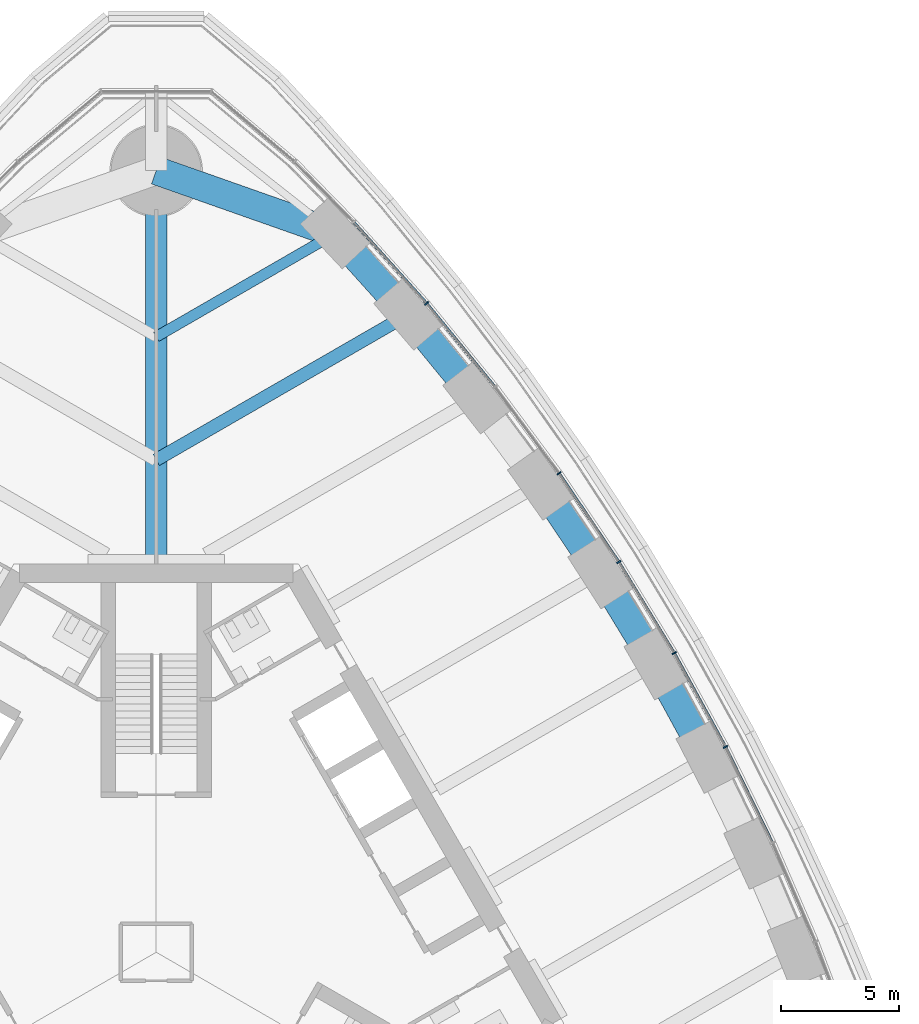
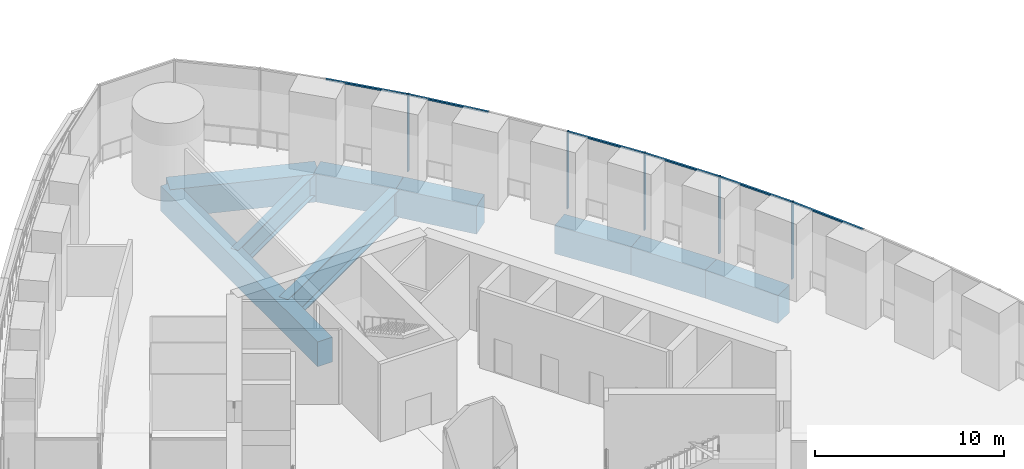
# One storey, part 8 of 31: 11 members, 9 beams, 1 element without a shape of its own.
"""IFC4 building model written with IfcOpenShell, lengths in metres."""

from ifc_helpers import new_model, si_unit, direction, frame, origin, origin_2d, place, context, subcontext, project, spatial, rectangle, i_section, extrude, material, material_profile, profile_set, type_object, element, aggregate, save


model = new_model("IFC4")

# Units and contexts
model_context = context("Model", 3, precision=1e-05, world=origin(), true_north=direction((0.0, 1.0)))
body_context = subcontext(model_context, "Body", "Model", "MODEL_VIEW")
ifc_project = project(units=[si_unit("LENGTHUNIT", "METRE"), si_unit("AREAUNIT", "SQUARE_METRE"), si_unit("VOLUMEUNIT", "CUBIC_METRE"), si_unit("PLANEANGLEUNIT", "RADIAN"), si_unit("MASSUNIT", "GRAM", prefix="KILO")], contexts=[model_context])

# Site, building, storey
site_placement = place(None, origin())
site = spatial("IfcSite", under=ifc_project, at=site_placement, CompositionType="ELEMENT")
building_placement = place(site_placement, origin())
building = spatial("IfcBuilding", under=site, at=building_placement, Name="Trefoil Bronze Tower", CompositionType="ELEMENT")
storey_placement = place(building_placement, frame((0.0, 0.0, 184.699951171875)))
storey = spatial("IfcBuildingStorey", under=building, at=storey_placement, Name="L42", CompositionType="ELEMENT", Elevation=184.699951171875)

# Curtain wall, members
ifc_material_1 = material(Name="Tinted solar-control glass", Category="glass")
curtain_wall_type = type_object("IfcCurtainWallType", Name="Bronze sky lobby curtain wall", PredefinedType="USERDEFINED", material=ifc_material_1)
curtain_wall_placement = place(storey_placement, origin())
curtain_wall = element("IfcCurtainWall", 1, at=curtain_wall_placement, inside=storey, type_object=curtain_wall_type, Name="CW-D L42 F2", ObjectType="CURTAIN WALL", PredefinedType="USERDEFINED")
ifc_material_2 = material(Name="Bronze-finish aluminium", Category="aluminium")
ifc_material_profile_1 = material_profile(ifc_material_2, rectangle(XDim=0.199951171875, YDim=0.06005859375, at=origin_2d()), Name="CW-D mullion")
ifc_profile_set_1 = profile_set([ifc_material_profile_1], Name="Bronze-finish aluminium")
member_type_1 = type_object("IfcMemberType", Name="Bronze sky lobby curtain wall mullion", PredefinedType="MULLION", material=ifc_profile_set_1)
member_1_placement = place(storey_placement, frame((24.0302734375, 8.67236328125, 0.0), z_axis=(0.0, 0.0, 1.0), x_axis=(-0.888088206965, -0.459673075837, 0.0)))
member_1 = element("IfcMember", 2, at=member_1_placement, type_object=member_type_1, Name="CW-D L42 F2 mullion 6", PredefinedType="MULLION", context=body_context, shape_type="SweptSolid", body=[
    extrude(rectangle(XDim=0.199951171875, YDim=0.06005859375, at=origin_2d()), origin(), (0.0, 0.0, 1.0), 4.97998046875),
])
member_2_placement = place(storey_placement, frame((21.86767578125, 12.625244140625, 0.0), z_axis=(0.0, 0.0, 1.0), x_axis=(-0.866025403784, -0.5, 0.0)))
member_2 = element("IfcMember", 3, at=member_2_placement, type_object=member_type_1, Name="CW-D L42 F2 mullion 7", PredefinedType="MULLION", context=body_context, shape_type="SweptSolid", body=[
    extrude(rectangle(XDim=0.199951171875, YDim=0.06005859375, at=origin_2d()), origin(), (0.0, 0.0, 1.0), 4.97998046875),
])
member_3_placement = place(storey_placement, frame((19.525634765625, 16.474609375, 0.0), z_axis=(0.0, 0.0, 1.0), x_axis=(-0.842132664593, -0.539270410114, 0.0)))
member_3 = element("IfcMember", 4, at=member_3_placement, type_object=member_type_1, Name="CW-D L42 F2 mullion 8", PredefinedType="MULLION", context=body_context, shape_type="SweptSolid", body=[
    extrude(rectangle(XDim=0.199951171875, YDim=0.06005859375, at=origin_2d()), origin(), (0.0, 0.0, 1.0), 4.97998046875),
])
member_4_placement = place(storey_placement, frame((17.00390625, 20.22021484375, 0.0), z_axis=(0.0, 0.0, 1.0), x_axis=(-0.81640398396, -0.577481198806, 0.0)))
member_4 = element("IfcMember", 5, at=member_4_placement, type_object=member_type_1, Name="CW-D L42 F2 mullion 9", PredefinedType="MULLION", context=body_context, shape_type="SweptSolid", body=[
    extrude(rectangle(XDim=0.199951171875, YDim=0.06005859375, at=origin_2d()), origin(), (0.0, 0.0, 1.0), 4.97998046875),
])
member_5_placement = place(storey_placement, frame((11.412841796875, 27.39501953125, 0.0), z_axis=(0.0, 0.0, 1.0), x_axis=(-0.75935470958, -0.650676897576, 0.0)))
member_5 = element("IfcMember", 6, at=member_5_placement, type_object=member_type_1, Name="CW-D L42 F2 mullion 11", PredefinedType="MULLION", context=body_context, shape_type="SweptSolid", body=[
    extrude(rectangle(XDim=0.199951171875, YDim=0.06005859375, at=origin_2d()), origin(), (0.0, 0.0, 1.0), 4.97998046875),
])
ifc_material_3 = material(Name="Bronze-finish aluminium", Category="aluminium")
ifc_material_profile_2 = material_profile(ifc_material_3, rectangle(XDim=0.1201171875, YDim=0.10009765625, at=origin_2d()), Name="CW-D transom")
ifc_profile_set_2 = profile_set([ifc_material_profile_2], Name="Bronze-finish aluminium")
member_type_2 = type_object("IfcMemberType", Name="Bronze sky lobby curtain wall transom", PredefinedType="USERDEFINED", material=ifc_profile_set_2)
member_6_placement = place(storey_placement, frame((25.9990234375, 4.644775390625, 4.929931640625), z_axis=(-0.43909895768, 0.898438704289, 0.0), x_axis=(-0.898438704289, -0.43909895768, 0.0)))
member_6 = element("IfcMember", 7, at=member_6_placement, type_object=member_type_2, Name="CW-D L42 F2 transom 5", ObjectType="TRANSOM", PredefinedType="USERDEFINED", context=body_context, shape_type="SweptSolid", body=[
    extrude(rectangle(XDim=0.1201171875, YDim=0.10009765625, at=origin_2d()), origin(), (0.0, 0.0, 1.0), 4.450927734375),
])
member_7_placement = place(storey_placement, frame((24.014892578125, 8.700927734375, 4.929931640625), z_axis=(-0.479980283087, 0.877279275857, 0.0), x_axis=(-0.877279275857, -0.479980283087, 0.0)))
member_7 = element("IfcMember", 8, at=member_7_placement, type_object=member_type_2, Name="CW-D L42 F2 transom 6", ObjectType="TRANSOM", PredefinedType="USERDEFINED", context=body_context, shape_type="SweptSolid", body=[
    extrude(rectangle(XDim=0.1201171875, YDim=0.10009765625, at=origin_2d()), origin(), (0.0, 0.0, 1.0), 4.44091796875),
])
member_8_placement = place(storey_placement, frame((21.850830078125, 12.65283203125, 4.929931640625), z_axis=(-0.519756845885, 0.854314240286, 0.0), x_axis=(-0.854314240286, -0.519756845885, 0.0)))
member_8 = element("IfcMember", 9, at=member_8_placement, type_object=member_type_2, Name="CW-D L42 F2 transom 7", ObjectType="TRANSOM", PredefinedType="USERDEFINED", context=body_context, shape_type="SweptSolid", body=[
    extrude(rectangle(XDim=0.1201171875, YDim=0.10009765625, at=origin_2d()), origin(), (0.0, 0.0, 1.0), 4.441162109375),
])
member_9_placement = place(storey_placement, frame((19.5078125, 16.50146484375, 4.929931640625), z_axis=(-0.558517200702, 0.829492939404, 0.0), x_axis=(-0.829492939404, -0.558517200702, 0.0)))
member_9 = element("IfcMember", 10, at=member_9_placement, type_object=member_type_2, Name="CW-D L42 F2 transom 8", ObjectType="TRANSOM", PredefinedType="USERDEFINED", context=body_context, shape_type="SweptSolid", body=[
    extrude(rectangle(XDim=0.1201171875, YDim=0.10009765625, at=origin_2d()), origin(), (0.0, 0.0, 1.0), 4.45068359375),
])
member_10_placement = place(storey_placement, frame((14.2802734375, 23.885986328125, 4.929931640625), z_axis=(-0.632800371808, 0.774314980767, 0.0), x_axis=(-0.774314980767, -0.632800371808, 0.0)))
member_10 = element("IfcMember", 11, at=member_10_placement, type_object=member_type_2, Name="CW-D L42 F2 transom 10", ObjectType="TRANSOM", PredefinedType="USERDEFINED", context=body_context, shape_type="SweptSolid", body=[
    extrude(rectangle(XDim=0.1201171875, YDim=0.10009765625, at=origin_2d()), origin(), (0.0, 0.0, 1.0), 4.499267578125),
])
member_11_placement = place(storey_placement, frame((11.39111328125, 27.4189453125, 4.929931640625), z_axis=(-0.668230486296, 0.743954311222, 0.0), x_axis=(-0.743954311222, -0.668230486296, 0.0)))
member_11 = element("IfcMember", 12, at=member_11_placement, type_object=member_type_2, Name="CW-D L42 F2 transom 11", ObjectType="TRANSOM", PredefinedType="USERDEFINED", context=body_context, shape_type="SweptSolid", body=[
    extrude(rectangle(XDim=0.1201171875, YDim=0.10009765625, at=origin_2d()), origin(), (0.0, 0.0, 1.0), 4.53955078125),
])
aggregate(curtain_wall, [member_1, member_2, member_3, member_4, member_5, member_6, member_7, member_8, member_9, member_10, member_11])

# Beams
ifc_material_4 = material(Name="Concrete B80", Category="concrete")
ifc_material_profile_3 = material_profile(ifc_material_4, rectangle(XDim=0.89990234375, YDim=1.60009765625, at=origin_2d()), Name="RC 900x1600")
ifc_profile_set_3 = profile_set([ifc_material_profile_3], Name="Concrete B80")
beam_type_1 = type_object("IfcBeamType", Name="Corner girder RC 900x1600", PredefinedType="BEAM", material=ifc_profile_set_3)
beam_1_placement = place(storey_placement, frame((0.0, 16.39990234375, -1.0), z_axis=(0.0, 1.0, 0.0), x_axis=(-1.0, 0.0, 0.0)))
element("IfcBeam", 13, at=beam_1_placement, inside=storey, type_object=beam_type_1, Name="Corner girder K2 L42", PredefinedType="BEAM", context=body_context, shape_type="SweptSolid", body=[
    extrude(rectangle(XDim=0.89990234375, YDim=1.60009765625, at=origin_2d()), origin(), (0.0, 0.0, 1.0), 16.60009765625),
])
ifc_material_5 = material(Name="Concrete B80", Category="concrete")
ifc_material_profile_4 = material_profile(ifc_material_5, rectangle(XDim=1.199951171875, YDim=1.800048828125, at=origin_2d()), Name="RC 1200x1800")
ifc_profile_set_4 = profile_set([ifc_material_profile_4], Name="Concrete B80")
beam_type_2 = type_object("IfcBeamType", Name="End spandrel beam RC 1200x1800", PredefinedType="SPANDREL", material=ifc_profile_set_4)
beam_2_placement = place(storey_placement, frame((7.552001953125, 30.3408203125, -1.099853515625), z_axis=(-0.943234397359, 0.332127794137, 0.0), x_axis=(-0.332127794137, -0.943234397359, 0.0)))
element("IfcBeam", 14, at=beam_2_placement, inside=storey, type_object=beam_type_2, Name="Spandrel F2.12 L42", PredefinedType="SPANDREL", context=body_context, shape_type="SweptSolid", body=[
    extrude(rectangle(XDim=1.199951171875, YDim=1.800048828125, at=origin_2d()), origin(), (0.0, 0.0, 1.0), 8.006591796875),
])
ifc_material_6 = material(Name="Steel C355", Category="steel")
ifc_material_profile_5 = material_profile(ifc_material_6, i_section(OverallWidth=0.449951171875, OverallDepth=1.39990234375, WebThickness=0.02294921875, FlangeThickness=0.044921875, FilletRadius=0.011962890625, at=origin_2d()), Name="WPG 1400")
ifc_profile_set_5 = profile_set([ifc_material_profile_5], Name="Steel C355")
beam_type_3 = type_object("IfcBeamType", Name="Floor beam WPG 1400", PredefinedType="BEAM", material=ifc_profile_set_5)
beam_3_placement = place(storey_placement, frame((7.552001953125, 30.3408203125, -0.89990234375), z_axis=(-0.866027535932, -0.499996306993, 0.0), x_axis=(0.499996306993, -0.866027535932, 0.0)))
element("IfcBeam", 15, at=beam_3_placement, inside=storey, type_object=beam_type_3, Name="Floor beam F2/+5 L42", PredefinedType="BEAM", context=body_context, shape_type="SweptSolid", body=[
    extrude(i_section(OverallWidth=0.449951171875, OverallDepth=1.39990234375, WebThickness=0.02294921875, FlangeThickness=0.044921875, FilletRadius=0.011962890625, at=origin_2d()), origin(), (0.0, 0.0, 1.0), 8.72021484375),
])
ifc_material_7 = material(Name="Steel C355", Category="steel")
ifc_material_profile_6 = material_profile(ifc_material_7, i_section(OverallWidth=0.550048828125, OverallDepth=1.800048828125, WebThickness=0.029052734375, FlangeThickness=0.054931640625, FilletRadius=0.013916015625, at=origin_2d()), Name="WPG 1800")
ifc_profile_set_6 = profile_set([ifc_material_profile_6], Name="Steel C355")
beam_type_4 = type_object("IfcBeamType", Name="Floor beam WPG 1800", PredefinedType="BEAM", material=ifc_profile_set_6)
beam_4_placement = place(storey_placement, frame((10.632080078125, 26.923095703125, -1.099853515625), z_axis=(-0.866025635187, -0.499999599199, 0.0), x_axis=(0.499999599199, -0.866025635187, 0.0)))
element("IfcBeam", 16, at=beam_4_placement, inside=storey, type_object=beam_type_4, Name="Floor beam F2/+4 L42", PredefinedType="BEAM", context=body_context, shape_type="SweptSolid", body=[
    extrude(i_section(OverallWidth=0.550048828125, OverallDepth=1.800048828125, WebThickness=0.029052734375, FlangeThickness=0.054931640625, FilletRadius=0.013916015625, at=origin_2d()), origin(), (0.0, 0.0, 1.0), 12.27685546875),
])
ifc_material_8 = material(Name="Concrete B80", Category="concrete")
ifc_material_profile_7 = material_profile(ifc_material_8, rectangle(XDim=1.199951171875, YDim=1.800048828125, at=origin_2d()), Name="RC 1200x1800")
ifc_profile_set_7 = profile_set([ifc_material_profile_7], Name="Concrete B80")
beam_type_5 = type_object("IfcBeamType", Name="Spandrel beam RC 1200x1800", PredefinedType="SPANDREL", material=ifc_profile_set_7)
for number, where, z_axis, x_axis, name in (
    (17, (23.248046875, 8.22607421875, -1.099853515625), (-0.479801903802, 0.87737684783, 0.0), (-0.87737684783, -0.479801903802, 0.0), "Spandrel F2.6 L42"),
    (18, (21.08837890625, 12.17529296875, -1.099853515625), (-0.519933181394, 0.854206934464, 0.0), (-0.854206934464, -0.519933181394, 0.0), "Spandrel F2.7 L42"),
):
    element("IfcBeam", number, at=place(storey_placement, frame(where, z_axis=z_axis, x_axis=x_axis)), inside=storey, type_object=beam_type_5, Name=name, PredefinedType="SPANDREL", context=body_context, shape_type="SweptSolid", body=[
        extrude(rectangle(XDim=1.199951171875, YDim=1.800048828125, at=origin_2d()), origin(), (0.0, 0.0, 1.0), 4.501220703125),
    ])
beam_5_placement = place(storey_placement, frame((18.748046875, 16.020263671875, -1.099853515625), z_axis=(-0.558964302753, 0.829191719838, 0.0), x_axis=(-0.829191719838, -0.558964302753, 0.0)))
element("IfcBeam", 19, at=beam_5_placement, inside=storey, type_object=beam_type_5, Name="Spandrel F2.8 L42", PredefinedType="SPANDREL", context=body_context, shape_type="SweptSolid", body=[
    extrude(rectangle(XDim=1.199951171875, YDim=1.800048828125, at=origin_2d()), origin(), (0.0, 0.0, 1.0), 4.510986328125),
])
beam_6_placement = place(storey_placement, frame((13.522216796875, 23.3955078125, -1.099853515625), z_axis=(-0.633753657863, 0.773534938542, 0.0), x_axis=(-0.773534938542, -0.633753657863, 0.0)))
element("IfcBeam", 20, at=beam_6_placement, inside=storey, type_object=beam_type_5, Name="Spandrel F2.10 L42", PredefinedType="SPANDREL", context=body_context, shape_type="SweptSolid", body=[
    extrude(rectangle(XDim=1.199951171875, YDim=1.800048828125, at=origin_2d()), origin(), (0.0, 0.0, 1.0), 4.560302734375),
])
beam_7_placement = place(storey_placement, frame((10.632080078125, 26.923095703125, -1.099853515625), z_axis=(-0.669460045872, 0.742848064534, 0.0), x_axis=(-0.742848064534, -0.669460045872, 0.0)))
element("IfcBeam", 21, at=beam_7_placement, inside=storey, type_object=beam_type_5, Name="Spandrel F2.11 L42", PredefinedType="SPANDREL", context=body_context, shape_type="SweptSolid", body=[
    extrude(rectangle(XDim=1.199951171875, YDim=1.800048828125, at=origin_2d()), origin(), (0.0, 0.0, 1.0), 4.600830078125),
])

save(model, "model.ifc")
